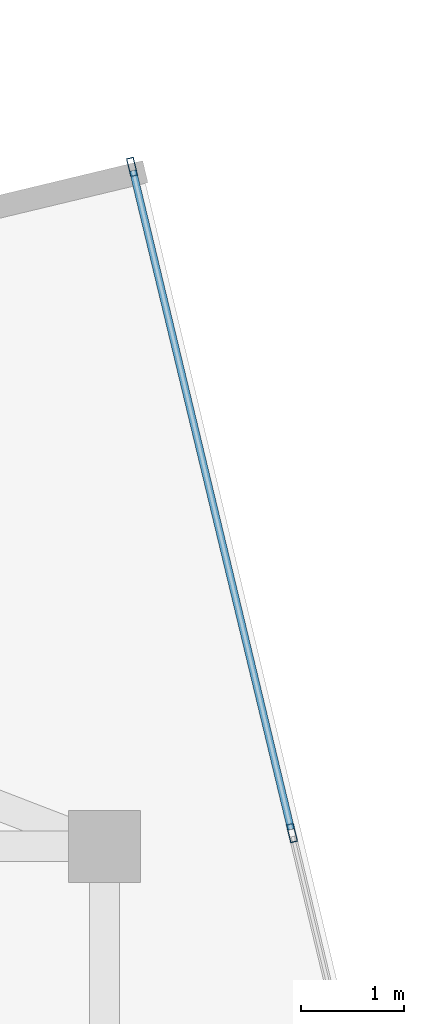
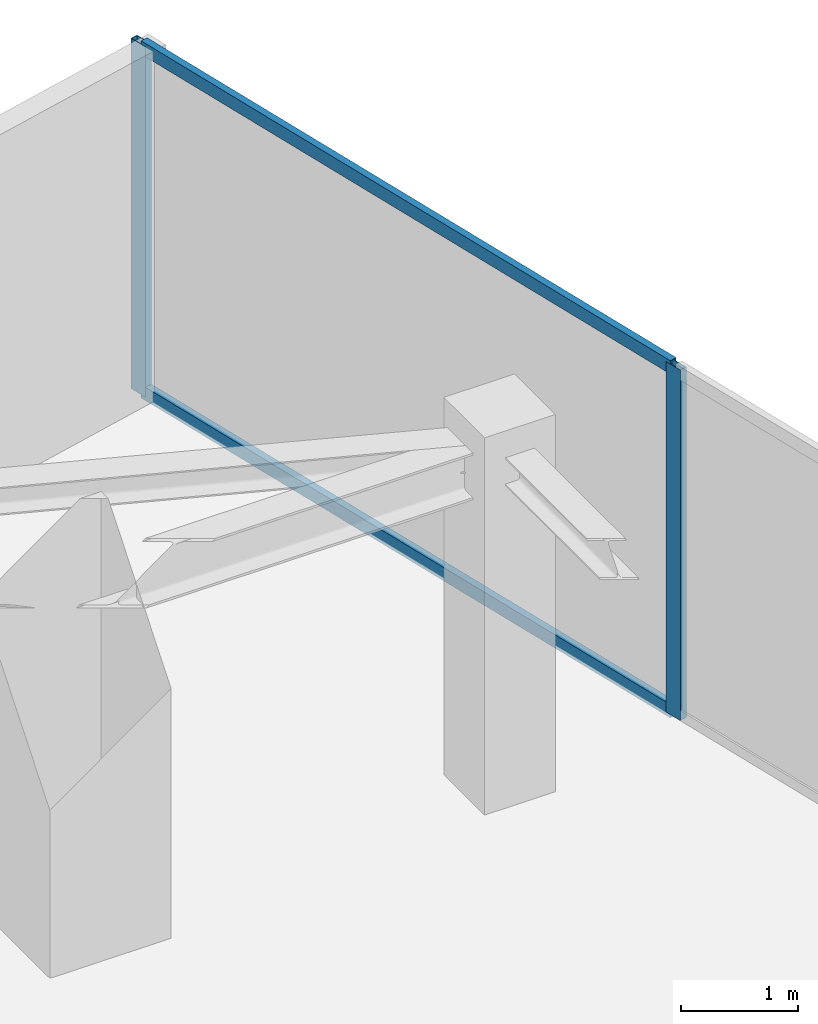
# One storey, part 17 of 22: 4 members, 1 element without a shape of its own.
"""IFC4 building model written with IfcOpenShell, lengths in metres."""

import ifcopenshell
import ifcopenshell.guid

model = None  # the IFC model being written
_history = None  # IfcOwnerHistory: only IFC2X3 demands one
_inside = {}  # id of a spatial element -> (the spatial element, [elements in it])
_under = {}  # id of a project, library or spatial element -> (it, [spatial elements below it])
_declared = {}  # id of a project -> (the project, [libraries it declares])
_typed = {}  # id of a type object -> (the type object, [elements of that type])
_made_of = {}  # id of a material, layer set ... -> (it, [elements and type objects made of it])


def new_model(schema):
    """Start an empty IFC model of exactly this schema.

    Asked for "IFC4X3", IfcOpenShell would pick the latest addendum, in which some entities
    have other attributes; the version numbers below select the first issue.
    IFC2X3 requires an IfcOwnerHistory on every rooted entity: one is made here for all.
    """
    global model, _history
    if schema == "IFC4X3":
        model = ifcopenshell.file(schema_version=(4, 3, 0, 0))
    else:
        model = ifcopenshell.file(schema=schema)
    _inside.clear()
    _under.clear()
    _declared.clear()
    _typed.clear()
    _made_of.clear()
    _history = None
    if model.schema == "IFC2X3":
        org = make("IfcOrganization", Name="unknown")
        user = make(
            "IfcPersonAndOrganization",
            ThePerson=make("IfcPerson", FamilyName="unknown"),
            TheOrganization=org,
        )
        app = make(
            "IfcApplication",
            ApplicationDeveloper=org,
            Version="unknown",
            ApplicationFullName="unknown",
            ApplicationIdentifier="unknown",
        )
        _history = make(
            "IfcOwnerHistory",
            OwningUser=user,
            OwningApplication=app,
            ChangeAction="ADDED",
            CreationDate=0,
        )
    return model


def make(cls, **values):
    """One entity of the class cls with the attributes given. An attribute that is None is left unset."""
    return model.create_entity(
        cls, **{name: value for name, value in values.items() if value is not None}
    )


def rooted(cls, **values):
    """An entity with a GlobalId (a new one), such as an element, a storey or a relation."""
    return make(cls, GlobalId=ifcopenshell.guid.new(), OwnerHistory=_history, **values)


def si_unit(unit_type, name, prefix=None):
    """IfcSIUnit, for example si_unit("LENGTHUNIT", "METRE", prefix="MILLI")."""
    return make("IfcSIUnit", UnitType=unit_type, Prefix=prefix, Name=name)


def assignment(units):
    """IfcUnitAssignment: the units of a project."""
    return None if units is None else make("IfcUnitAssignment", Units=units)


def point(xyz):
    """IfcCartesianPoint."""
    return None if xyz is None else make("IfcCartesianPoint", Coordinates=xyz)


def direction(xyz):
    """IfcDirection."""
    return None if xyz is None else make("IfcDirection", DirectionRatios=xyz)


def frame(location, z_axis=None, x_axis=None):
    """IfcAxis2Placement3D, a coordinate frame: its origin and axes. An axis left out is left unset."""
    return make(
        "IfcAxis2Placement3D",
        Location=point(location),
        Axis=direction(z_axis),
        RefDirection=direction(x_axis),
    )


def frame_2d(location, x_axis=None):
    """IfcAxis2Placement2D, a coordinate frame in the plane: its origin and x axis."""
    return make(
        "IfcAxis2Placement2D", Location=point(location), RefDirection=direction(x_axis)
    )


def origin():
    """The frame at (0, 0, 0) with its axes left unset."""
    return frame((0.0, 0.0, 0.0))


def origin_2d():
    """The frame at (0, 0) in the plane with its x axis left unset."""
    return frame_2d((0.0, 0.0))


def place(relative_to, where):
    """IfcLocalPlacement: puts the frame where relative to a parent placement (None: the world)."""
    return make(
        "IfcLocalPlacement", PlacementRelTo=relative_to, RelativePlacement=where
    )


def context(
    kind, dimensions, precision=None, world=None, true_north=None, identifier=None
):
    """IfcGeometricRepresentationContext, for example the 3D "Model" context."""
    return make(
        "IfcGeometricRepresentationContext",
        ContextIdentifier=identifier,
        ContextType=kind,
        CoordinateSpaceDimension=dimensions,
        Precision=precision,
        WorldCoordinateSystem=world,
        TrueNorth=true_north,
    )


def subcontext(parent, identifier, kind, view, scale=None):
    """IfcGeometricRepresentationSubContext, for example "Body" below "Model"."""
    return make(
        "IfcGeometricRepresentationSubContext",
        ContextIdentifier=identifier,
        ContextType=kind,
        ParentContext=parent,
        TargetScale=scale,
        TargetView=view,
    )


def project(units=None, contexts=None):
    """IfcProject with its units and contexts."""
    return rooted(
        "IfcProject",
        Name="project",
        RepresentationContexts=contexts,
        UnitsInContext=assignment(units),
    )


def spatial(cls, under=None, at=None, **own):
    """A site, building, storey or space (cls), placed at a placement, below another one or the project."""
    s = rooted(cls, ObjectPlacement=at, **own)
    if under is not None:
        _under.setdefault(under.id(), (under, []))[1].append(s)
    return s


def profile(cls, at=None, kind="AREA", **sizes):
    """A parametric profile (cls). Its sizes go by their IFC names, for example OverallWidth=200.0."""
    return make(cls, ProfileType=kind, Position=at, **sizes)


def hollow_rectangle(**sizes):
    """IfcRectangleHollowProfileDef."""
    return profile("IfcRectangleHollowProfileDef", **sizes)


def extrude(swept, where, along, depth):
    """IfcExtrudedAreaSolid: the profile swept, set in the frame where, extruded along a direction by depth."""
    return make(
        "IfcExtrudedAreaSolid",
        SweptArea=swept,
        Position=where,
        ExtrudedDirection=direction(along),
        Depth=depth,
    )


def shape(context_of_items, identifier, shape_type, items):
    """IfcShapeRepresentation: the items that make up one representation, for example the "Body"."""
    return make(
        "IfcShapeRepresentation",
        ContextOfItems=context_of_items,
        RepresentationIdentifier=identifier,
        RepresentationType=shape_type,
        Items=items,
    )


def source(mapping_origin, context_of_items, identifier, shape_type, items):
    """IfcRepresentationMap: a shape defined once, which mapped items show again and again."""
    return make(
        "IfcRepresentationMap",
        MappingOrigin=mapping_origin,
        MappedRepresentation=shape(context_of_items, identifier, shape_type, items),
    )


def transform(
    local_origin,
    x_axis=None,
    y_axis=None,
    z_axis=None,
    scale=None,
    scale2=None,
    scale3=None,
    uniform=True,
):
    """IfcCartesianTransformationOperator3D, or its non-uniform kind. x_axis, y_axis, z_axis: its Axis1, 2, 3."""
    if uniform:
        return make(
            "IfcCartesianTransformationOperator3D",
            Axis1=direction(x_axis),
            Axis2=direction(y_axis),
            LocalOrigin=point(local_origin),
            Scale=scale,
            Axis3=direction(z_axis),
        )
    return make(
        "IfcCartesianTransformationOperator3DnonUniform",
        Axis1=direction(x_axis),
        Axis2=direction(y_axis),
        LocalOrigin=point(local_origin),
        Scale=scale,
        Axis3=direction(z_axis),
        Scale2=scale2,
        Scale3=scale3,
    )


def mapped(mapping_source, mapping_target):
    """IfcMappedItem: shows the shape of a source again, moved by a transform."""
    return make(
        "IfcMappedItem", MappingSource=mapping_source, MappingTarget=mapping_target
    )


def material(Name=None, Category=None):
    """IfcMaterial."""
    return make("IfcMaterial", Name=Name, Category=Category)


def material_profile(
    of_material, cross_section, Name=None, Category=None, Priority=None
):
    """IfcMaterialProfile: a cross section and its material."""
    return make(
        "IfcMaterialProfile",
        Name=Name,
        Material=of_material,
        Profile=cross_section,
        Priority=Priority,
        Category=Category,
    )


def profile_set(profiles, Name=None, composite=None):
    """IfcMaterialProfileSet."""
    return make(
        "IfcMaterialProfileSet",
        Name=Name,
        MaterialProfiles=profiles,
        CompositeProfile=composite,
    )


def made_of(thing, what):
    """Note that an element or type object is made of a material, layer set ...; save() writes the relation."""
    if what is not None:
        _made_of.setdefault(what.id(), (what, []))[1].append(thing)
    return thing


def type_object(cls, material=None, **own):
    """A type object (cls), such as IfcWallType, which elements share."""
    return made_of(rooted(cls, **own), material)


def type_shapes(of_type, sources):
    """Give a type object the sources (RepresentationMaps) that its elements show as mapped items."""
    of_type.RepresentationMaps = sources


def element(
    cls,
    number,
    at=None,
    inside=None,
    cuts=None,
    type_object=None,
    material=None,
    context=None,
    identifier="Body",
    shape_type=None,
    held_by="IfcProductDefinitionShape",
    body=None,
    shapes=None,
    **own,
):
    """One element of the class cls, such as IfcWall. Its Tag is "e" and its number.

    at: its placement. inside: the storey or other place that contains it. cuts: it is an
    opening in that element (IfcRelVoidsElement). A single representation is given by context,
    identifier, shape_type and body (its items); several are given by shapes. held_by: the class
    of the entity that holds the representations. save() writes the other relations.
    """
    e = rooted(cls, Tag="e%d" % number, ObjectPlacement=at, **own)
    if body is not None:
        shapes = [shape(context, identifier, shape_type, body)]
    if shapes is not None:
        e.Representation = make(held_by, Representations=shapes)
    if inside is not None:
        _inside.setdefault(inside.id(), (inside, []))[1].append(e)
    if cuts is not None:
        rooted(
            "IfcRelVoidsElement", RelatingBuildingElement=cuts, RelatedOpeningElement=e
        )
    if type_object is not None:
        _typed.setdefault(type_object.id(), (type_object, []))[1].append(e)
    return made_of(e, material)


def aggregate(whole, parts):
    """IfcRelAggregates: a whole, such as a stair, and the parts it consists of."""
    return rooted("IfcRelAggregates", RelatingObject=whole, RelatedObjects=parts)


def save(model, path):
    """Write the relations noted so far, then the file.

    IfcRelAggregates (storeys below a building ...), IfcRelContainedInSpatialStructure (elements
    in a storey), IfcRelDefinesByType, IfcRelAssociatesMaterial and IfcRelDeclares: one each for
    every whole, place, type object, material and project.
    """
    for whole, parts in _under.values():
        aggregate(whole, parts)
    for where, things in _inside.values():
        rooted(
            "IfcRelContainedInSpatialStructure",
            RelatedElements=things,
            RelatingStructure=where,
        )
    for kind, things in _typed.values():
        rooted("IfcRelDefinesByType", RelatedObjects=things, RelatingType=kind)
    for what, things in _made_of.values():
        rooted("IfcRelAssociatesMaterial", RelatedObjects=things, RelatingMaterial=what)
    for by, libraries in _declared.values():
        rooted("IfcRelDeclares", RelatingContext=by, RelatedDefinitions=libraries)
    model.write(path)


model = new_model("IFC4")

# Units and contexts
model_context = context("Model", 3, precision=1e-05, world=origin(), true_north=direction((0.0, 1.0)))
body_context = subcontext(model_context, "Body", "Model", "MODEL_VIEW")
ifc_project = project(units=[si_unit("LENGTHUNIT", "METRE"), si_unit("AREAUNIT", "SQUARE_METRE"), si_unit("VOLUMEUNIT", "CUBIC_METRE"), si_unit("PLANEANGLEUNIT", "RADIAN"), si_unit("MASSUNIT", "GRAM", prefix="KILO")], contexts=[model_context])

# Site, building, storey
site_placement = place(None, origin())
site = spatial("IfcSite", under=ifc_project, at=site_placement, CompositionType="ELEMENT")
building_placement = place(site_placement, origin())
building = spatial("IfcBuilding", under=site, at=building_placement, Name="Krantzveldt Concourse Tower", CompositionType="ELEMENT")
storey_placement = place(building_placement, frame((0.0, 0.0, 355.35009765625)))
storey = spatial("IfcBuildingStorey", under=building, at=storey_placement, Name="L87", CompositionType="ELEMENT", Elevation=355.35009765625)

# Curtain wall, members
ifc_material = material(Name="Anodised aluminium 6063-T6", Category="aluminium")
curtain_wall_type = type_object("IfcCurtainWallType", Name="CW4", PredefinedType="USERDEFINED", material=ifc_material)
curtain_wall_placement = place(storey_placement, origin())
curtain_wall = element("IfcCurtainWall", 1, at=curtain_wall_placement, inside=storey, type_object=curtain_wall_type, Name="CW-L87-F10", ObjectType="UNITISED CURTAIN WALL", PredefinedType="USERDEFINED")
ifc_material_profile_1 = material_profile(ifc_material, hollow_rectangle(XDim=0.070068359375, YDim=0.179931640625, WallThickness=0.0048828125, at=origin_2d()), Name="Anodised aluminium 6063-T6", Category="aluminium")
ifc_profile_set_1 = profile_set([ifc_material_profile_1], Name="Anodised aluminium 6063-T6 - ALU-MULL 180x70x5")
member_type_1 = type_object("IfcMemberType", Name="CW-MUL-180", PredefinedType="MULLION", material=ifc_profile_set_1)
shared_shape_1 = source(origin(), body_context, "Body", "SweptSolid", [
    extrude(hollow_rectangle(XDim=0.070068359375, YDim=0.179931640625, WallThickness=0.0048828125, at=origin_2d()), origin(), (0.0, 0.0, 1.0), 3.669921875),
])
type_shapes(member_type_1, [shared_shape_1])
member_1_placement = place(storey_placement, frame((52.823486328125, 37.62939453125, 0.0), z_axis=(0.0, 0.0, 1.0), x_axis=(-0.972369896884, -0.233445461796, 0.0)))
member_1 = element("IfcMember", 2, at=member_1_placement, type_object=member_type_1, Name="CW-Z56 mullion 4", PredefinedType="MULLION", context=body_context, shape_type="MappedRepresentation", body=[
    mapped(shared_shape_1, transform((0.0, 0.0, 0.0), x_axis=(1.0, 0.0, 0.0), y_axis=(0.0, 1.0, 0.0), z_axis=(0.0, 0.0, 1.0), scale=1.0)),
])
member_2_placement = place(storey_placement, frame((51.267578125, 44.110107421875, 0.0), z_axis=(0.0, 0.0, 1.0), x_axis=(-0.972369896884, -0.233445461796, 0.0)))
member_2 = element("IfcMember", 3, at=member_2_placement, type_object=member_type_1, Name="CW-Z56 mullion 5", PredefinedType="MULLION", context=body_context, shape_type="MappedRepresentation", body=[
    mapped(shared_shape_1, transform((0.0, 0.0, 0.0), x_axis=(1.0, 0.0, 0.0), y_axis=(0.0, 1.0, 0.0), z_axis=(0.0, 0.0, 1.0), scale=1.0)),
])
ifc_material_profile_2 = material_profile(ifc_material, hollow_rectangle(XDim=0.070068359375, YDim=0.139892578125, WallThickness=0.0048828125, at=origin_2d()), Name="Anodised aluminium 6063-T6", Category="aluminium")
ifc_profile_set_2 = profile_set([ifc_material_profile_2], Name="Anodised aluminium 6063-T6 - ALU-TRAN 140x70x5")
member_type_2 = type_object("IfcMemberType", Name="CW-TRN-150", PredefinedType="USERDEFINED", material=ifc_profile_set_2)
shared_shape_2 = source(origin(), body_context, "Body", "SweptSolid", [
    extrude(hollow_rectangle(XDim=0.070068359375, YDim=0.139892578125, WallThickness=0.0048828125, at=origin_2d()), origin(), (0.0, 0.0, 1.0), 6.594970703125),
])
type_shapes(member_type_2, [shared_shape_2])
member_3_placement = place(storey_placement, frame((52.815185546875, 37.663330078125, 0.034912109375), z_axis=(-0.233440156887, 0.972371170466, 0.0), x_axis=(-0.972371170466, -0.233440156887, 0.0)))
member_3 = element("IfcMember", 4, at=member_3_placement, type_object=member_type_2, Name="CW-Z56 transom 4.1", ObjectType="TRANSOM", PredefinedType="USERDEFINED", context=body_context, shape_type="MappedRepresentation", body=[
    mapped(shared_shape_2, transform((0.0, 0.0, 0.0), x_axis=(1.0, 0.0, 0.0), y_axis=(0.0, 1.0, 0.0), z_axis=(0.0, 0.0, 1.0), scale=1.0)),
])
member_4_placement = place(storey_placement, frame((52.815185546875, 37.663330078125, 3.635009765625), z_axis=(-0.233440156887, 0.972371170466, 0.0), x_axis=(-0.972371170466, -0.233440156887, 0.0)))
member_4 = element("IfcMember", 5, at=member_4_placement, type_object=member_type_2, Name="CW-Z56 transom 4.2", ObjectType="TRANSOM", PredefinedType="USERDEFINED", context=body_context, shape_type="MappedRepresentation", body=[
    mapped(shared_shape_2, transform((0.0, 0.0, 0.0), x_axis=(1.0, 0.0, 0.0), y_axis=(0.0, 1.0, 0.0), z_axis=(0.0, 0.0, 1.0), scale=1.0)),
])
aggregate(curtain_wall, [member_1, member_2, member_3, member_4])

save(model, "model.ifc")
